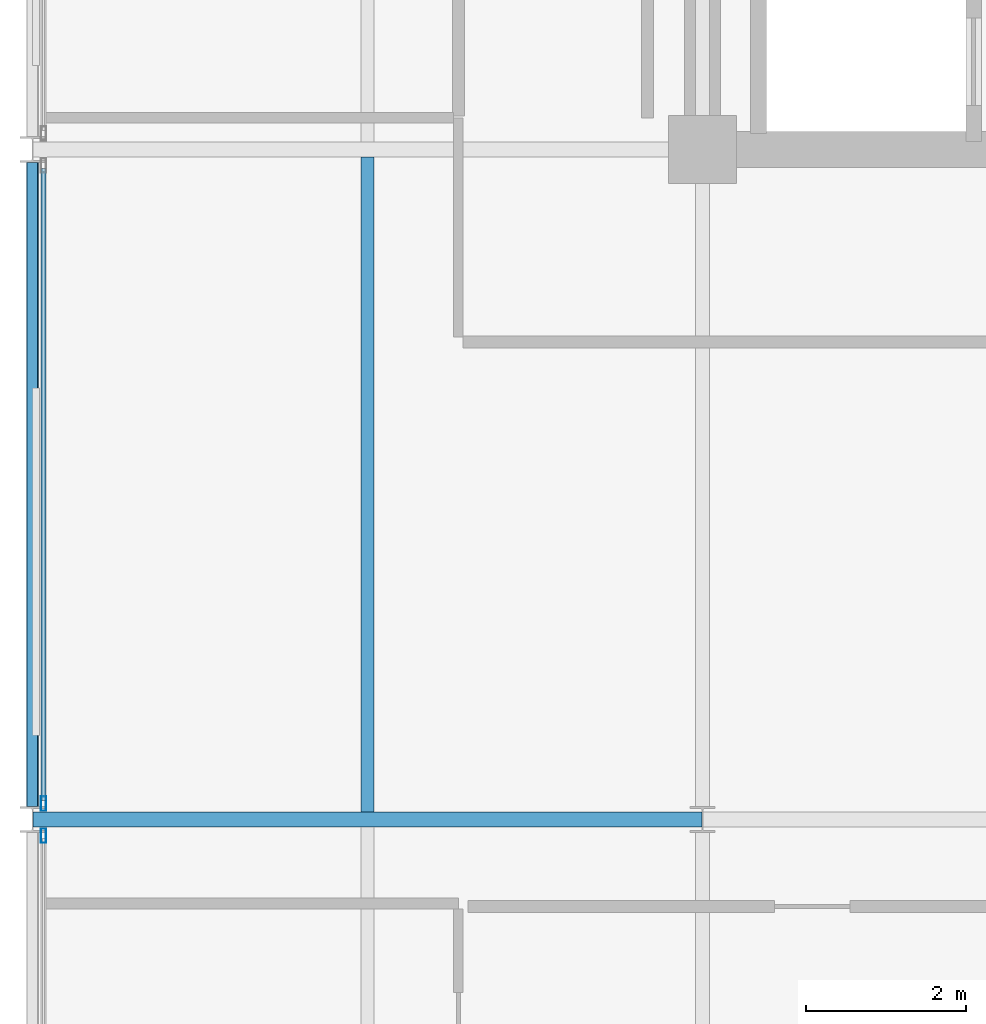
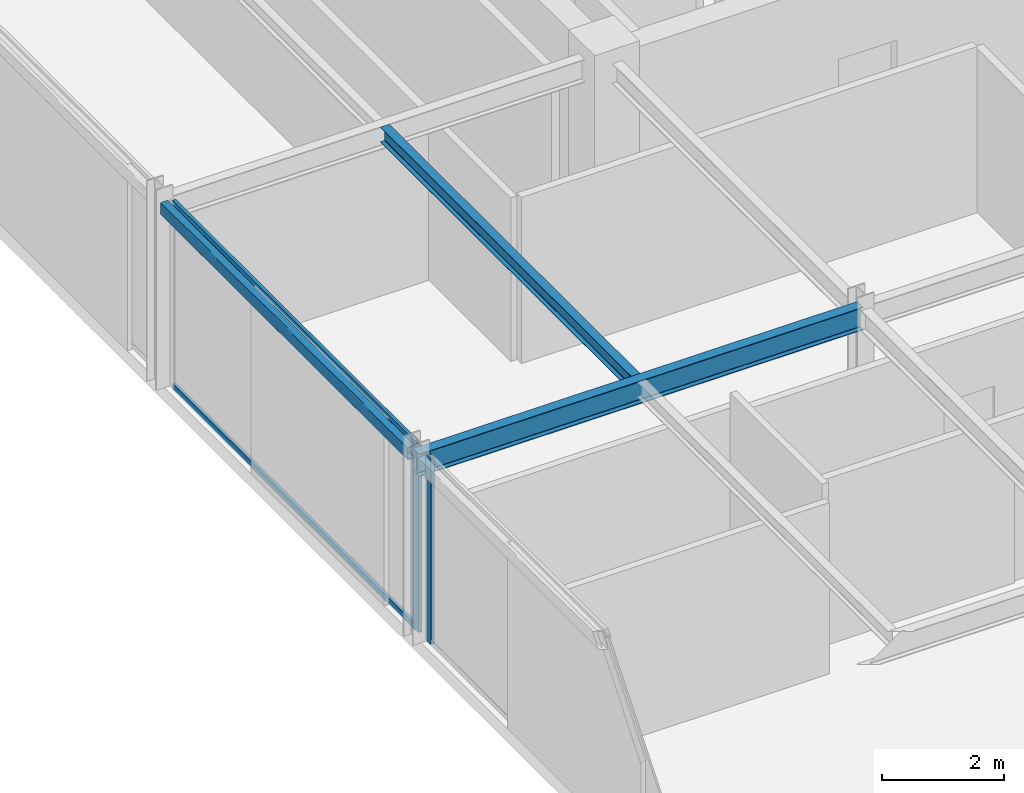
# One storey, part 9 of 26: 4 members, 3 beams, 2 elements without a shape of their own.
"""IFC4 building model written with IfcOpenShell, lengths in metres."""

from ifc_helpers import new_model, si_unit, direction, frame, origin, origin_2d, place, context, subcontext, project, spatial, hollow_rectangle, i_section, extrude, material, layer, layer_set, material_profile, profile_set, type_object, element, aggregate, save


model = new_model("IFC4")

# Units and contexts
model_context = context("Model", 3, precision=1e-05, world=origin(), true_north=direction((0.0, 1.0)))
body_context = subcontext(model_context, "Body", "Model", "MODEL_VIEW")
ifc_project = project(units=[si_unit("LENGTHUNIT", "METRE"), si_unit("AREAUNIT", "SQUARE_METRE"), si_unit("VOLUMEUNIT", "CUBIC_METRE"), si_unit("PLANEANGLEUNIT", "RADIAN"), si_unit("MASSUNIT", "GRAM", prefix="KILO")], contexts=[model_context])

# Site, building, storey
site_placement = place(None, origin())
site = spatial("IfcSite", under=ifc_project, at=site_placement, CompositionType="ELEMENT")
building_placement = place(site_placement, origin())
building = spatial("IfcBuilding", under=site, at=building_placement, Name="Nerrivon Quay Data Exchange", CompositionType="ELEMENT")
storey_placement = place(building_placement, frame((0.0, 0.0, 262.199951171875)))
storey = spatial("IfcBuildingStorey", under=building, at=storey_placement, Name="L62", CompositionType="ELEMENT", Elevation=262.199951171875)

# Beams
ifc_material_1 = material(Name="Steel Grade 350", Category="steel")
ifc_material_profile_1 = material_profile(ifc_material_1, i_section(OverallWidth=0.18994140625, OverallDepth=0.4541015625, WebThickness=0.008544921875, FlangeThickness=0.0126953125, FilletRadius=0.011474609375, at=origin_2d()), Name="460UB67.1")
ifc_profile_set_1 = profile_set([ifc_material_profile_1], Name="Steel Grade 350")
beam_type_1 = type_object("IfcBeamType", Name="BM-G6-460UB67", PredefinedType="BEAM", material=ifc_profile_set_1)
beam_1_placement = place(storey_placement, frame((0.0078125, 16.800048828125, 3.498046875), z_axis=(1.0, 0.0, 0.0), x_axis=(0.0, 1.0, 0.0)))
element("IfcBeam", 1, at=beam_1_placement, inside=storey, type_object=beam_type_1, Name="L62 EW Girder Y=16.8 (0.0..8.4)", PredefinedType="BEAM", context=body_context, shape_type="SweptSolid", body=[
    extrude(i_section(OverallWidth=0.18994140625, OverallDepth=0.4541015625, WebThickness=0.008544921875, FlangeThickness=0.0126953125, FilletRadius=0.011474609375, at=origin_2d()), origin(), (0.0, 0.0, 1.0), 8.38427734375),
])
ifc_material_profile_2 = material_profile(ifc_material_1, i_section(OverallWidth=0.1650390625, OverallDepth=0.303955078125, WebThickness=0.006103515625, FlangeThickness=0.01025390625, FilletRadius=0.011474609375, at=origin_2d()), Name="310UB40.4")
ifc_profile_set_2 = profile_set([ifc_material_profile_2], Name="Steel Grade 350")
beam_type_2 = type_object("IfcBeamType", Name="BM-J6-310UB40", PredefinedType="JOIST", material=ifc_profile_set_2)
beam_2_placement = place(storey_placement, frame((4.199951171875, 16.89501953125, 3.572998046875), z_axis=(0.0, 1.0, 0.0), x_axis=(-1.0, 0.0, 0.0)))
element("IfcBeam", 2, at=beam_2_placement, inside=storey, type_object=beam_type_2, Name="L62 Secondary Joist X=4.2 (16.8..25.2)", PredefinedType="JOIST", context=body_context, shape_type="SweptSolid", body=[
    extrude(i_section(OverallWidth=0.1650390625, OverallDepth=0.303955078125, WebThickness=0.006103515625, FlangeThickness=0.01025390625, FilletRadius=0.011474609375, at=origin_2d()), origin(), (0.0, 0.0, 1.0), 8.2099609375),
])
ifc_material_2 = material(Name="Steel Grade C350L0 (350 MPa)", Category="steel")
ifc_material_profile_3 = material_profile(ifc_material_2, hollow_rectangle(XDim=0.14990234375, YDim=0.25, WallThickness=0.009033203125, InnerFilletRadius=0.013427734375, OuterFilletRadius=0.0224609375, at=origin_2d()), Name="250x150x9.0RHS")
ifc_profile_set_3 = profile_set([ifc_material_profile_3], Name="Steel Grade C350L0 (350 MPa)")
beam_type_3 = type_object("IfcBeamType", Name="BM-SP4-250x150RHS", PredefinedType="SPANDREL", material=ifc_profile_set_3)
beam_3_placement = place(storey_placement, frame((0.0, 16.96337890625, 3.60009765625), z_axis=(0.0, 1.0, 0.0), x_axis=(-1.0, 0.0, 0.0)))
element("IfcBeam", 3, at=beam_3_placement, inside=storey, type_object=beam_type_3, Name="L62 NS Girder X=0.0 (16.8..25.2)", PredefinedType="SPANDREL", context=body_context, shape_type="SweptSolid", body=[
    extrude(hollow_rectangle(XDim=0.14990234375, YDim=0.25, WallThickness=0.009033203125, InnerFilletRadius=0.013427734375, OuterFilletRadius=0.0224609375, at=origin_2d()), origin(), (0.0, 0.0, 1.0), 8.0732421875),
])

# Curtain wall, member
ifc_material_3 = material(Name="Anodised aluminium 6063-T6", Category="aluminium")
ifc_layer = layer(ifc_material_3, 0.195068359375)
ifc_layer_set = layer_set([ifc_layer], Name="Anodised aluminium 6063-T6")
curtain_wall_type = type_object("IfcCurtainWallType", Name="CW-SYS-06", PredefinedType="NOTDEFINED", material=ifc_layer_set)
curtain_wall_1_placement = place(storey_placement, origin())
curtain_wall_1 = element("IfcCurtainWall", 4, at=curtain_wall_1_placement, inside=storey, type_object=curtain_wall_type, Name="L62 Unitised Curtain Wall 12", PredefinedType="NOTDEFINED")
ifc_material_profile_4 = material_profile(ifc_material_3, hollow_rectangle(XDim=0.06494140625, YDim=0.179931640625, WallThickness=0.00341796875, at=origin_2d()), Name="ALU-MULL-180x65")
ifc_profile_set_4 = profile_set([ifc_material_profile_4], Name="Anodised aluminium 6063-T6")
member_type_1 = type_object("IfcMemberType", Name="CWM-180x65", PredefinedType="MULLION", material=ifc_profile_set_4)
member_1_placement = place(storey_placement, frame((0.139892578125, 16.59912109375, 0.0), z_axis=(0.0, 0.0, 1.0), x_axis=(-1.0, 0.0, 0.0)))
member_1 = element("IfcMember", 5, at=member_1_placement, type_object=member_type_1, Name="CW06 mullion 2", PredefinedType="MULLION", context=body_context, shape_type="SweptSolid", body=[
    extrude(hollow_rectangle(XDim=0.06494140625, YDim=0.179931640625, WallThickness=0.00341796875, at=origin_2d()), origin(), (0.0, 0.0, 1.0), 3.72509765625),
])
aggregate(curtain_wall_1, [member_1])

# Curtain wall, members
curtain_wall_2_placement = place(storey_placement, origin())
curtain_wall_2 = element("IfcCurtainWall", 6, at=curtain_wall_2_placement, inside=storey, type_object=curtain_wall_type, Name="L62 Unitised Curtain Wall 13", PredefinedType="NOTDEFINED")
member_2_placement = place(storey_placement, frame((0.139892578125, 17.0009765625, 0.0), z_axis=(0.0, 0.0, 1.0), x_axis=(-1.0, 0.0, 0.0)))
member_2 = element("IfcMember", 7, at=member_2_placement, type_object=member_type_1, Name="CW06 mullion 1", PredefinedType="MULLION", context=body_context, shape_type="SweptSolid", body=[
    extrude(hollow_rectangle(XDim=0.06494140625, YDim=0.179931640625, WallThickness=0.00341796875, at=origin_2d()), origin(), (0.0, 0.0, 1.0), 3.72509765625),
])
ifc_material_profile_5 = material_profile(ifc_material_3, hollow_rectangle(XDim=0.06005859375, YDim=0.1201171875, WallThickness=0.003173828125, at=origin_2d()), Name="ALU-TRAN-120x60")
ifc_profile_set_5 = profile_set([ifc_material_profile_5], Name="Anodised aluminium 6063-T6")
member_type_2 = type_object("IfcMemberType", Name="CWT-120x60", PredefinedType="USERDEFINED", material=ifc_profile_set_5)
member_3_placement = place(storey_placement, frame((0.139892578125, 17.03857421875, 0.032470703125), z_axis=(0.0, 1.0, 0.0), x_axis=(-1.0, 0.0, 0.0)))
member_3 = element("IfcMember", 8, at=member_3_placement, type_object=member_type_2, Name="CW06 transom 1.1", ObjectType="TRANSOM", PredefinedType="USERDEFINED", context=body_context, shape_type="SweptSolid", body=[
    extrude(hollow_rectangle(XDim=0.06005859375, YDim=0.1201171875, WallThickness=0.003173828125, at=origin_2d()), origin(), (0.0, 0.0, 1.0), 7.9228515625),
])
member_4_placement = place(storey_placement, frame((0.139892578125, 17.03857421875, 3.692626953125), z_axis=(0.0, 1.0, 0.0), x_axis=(-1.0, 0.0, 0.0)))
member_4 = element("IfcMember", 9, at=member_4_placement, type_object=member_type_2, Name="CW06 transom 1.2", ObjectType="TRANSOM", PredefinedType="USERDEFINED", context=body_context, shape_type="SweptSolid", body=[
    extrude(hollow_rectangle(XDim=0.06005859375, YDim=0.1201171875, WallThickness=0.003173828125, at=origin_2d()), origin(), (0.0, 0.0, 1.0), 7.9228515625),
])
aggregate(curtain_wall_2, [member_2, member_3, member_4])

save(model, "model.ifc")
